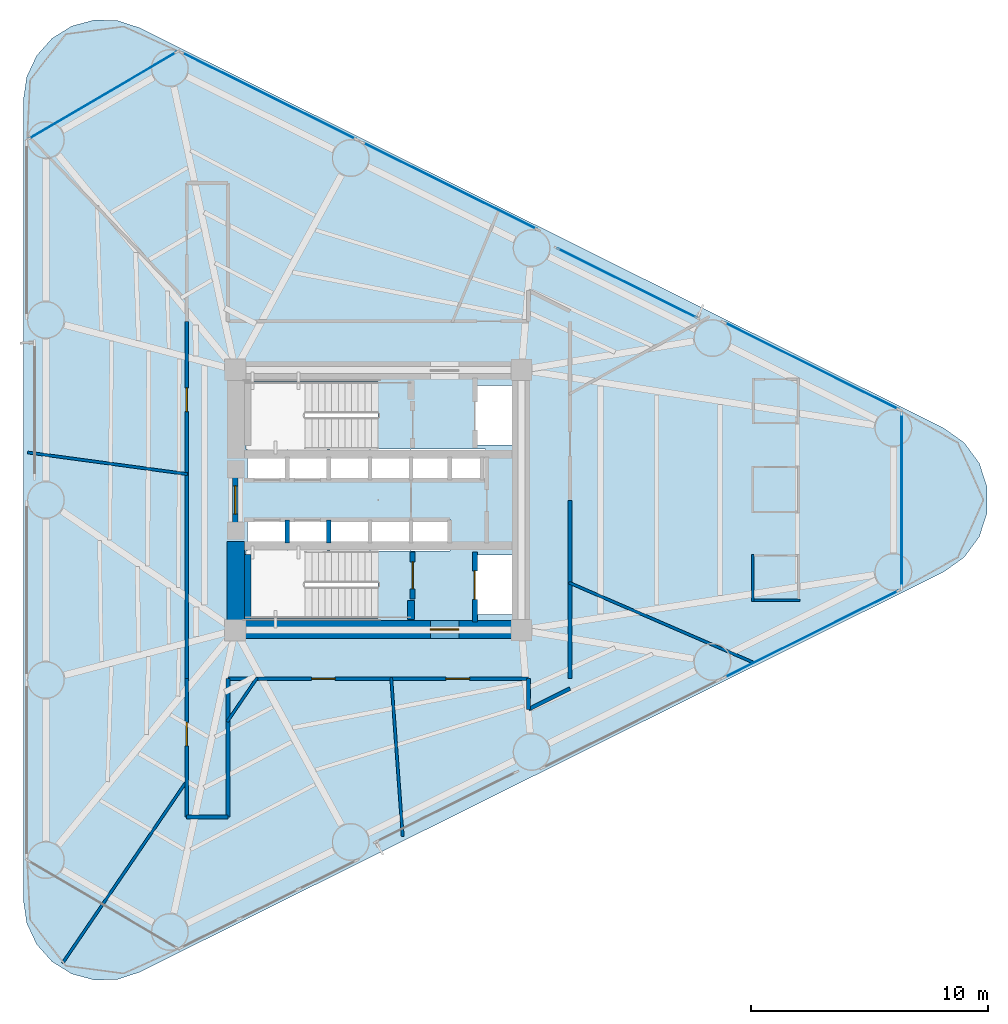
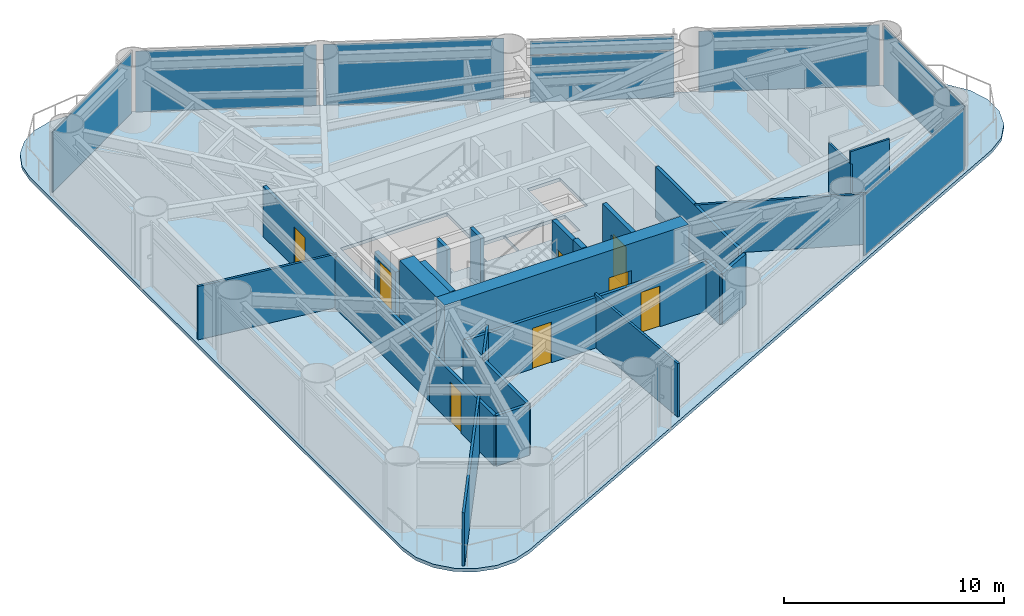
# One storey, part 5 of 10: 24 walls, 8 doors, 8 plates, 1 slab, 8 openings, 7 elements without a shape of their own.
"""IFC4 building model written with IfcOpenShell, lengths in metres."""

import ifcopenshell
import ifcopenshell.guid

model = None  # the IFC model being written
_history = None  # IfcOwnerHistory: only IFC2X3 demands one
_inside = {}  # id of a spatial element -> (the spatial element, [elements in it])
_under = {}  # id of a project, library or spatial element -> (it, [spatial elements below it])
_declared = {}  # id of a project -> (the project, [libraries it declares])
_typed = {}  # id of a type object -> (the type object, [elements of that type])
_made_of = {}  # id of a material, layer set ... -> (it, [elements and type objects made of it])


def new_model(schema):
    """Start an empty IFC model of exactly this schema.

    Asked for "IFC4X3", IfcOpenShell would pick the latest addendum, in which some entities
    have other attributes; the version numbers below select the first issue.
    IFC2X3 requires an IfcOwnerHistory on every rooted entity: one is made here for all.
    """
    global model, _history
    if schema == "IFC4X3":
        model = ifcopenshell.file(schema_version=(4, 3, 0, 0))
    else:
        model = ifcopenshell.file(schema=schema)
    _inside.clear()
    _under.clear()
    _declared.clear()
    _typed.clear()
    _made_of.clear()
    _history = None
    if model.schema == "IFC2X3":
        org = make("IfcOrganization", Name="unknown")
        user = make(
            "IfcPersonAndOrganization",
            ThePerson=make("IfcPerson", FamilyName="unknown"),
            TheOrganization=org,
        )
        app = make(
            "IfcApplication",
            ApplicationDeveloper=org,
            Version="unknown",
            ApplicationFullName="unknown",
            ApplicationIdentifier="unknown",
        )
        _history = make(
            "IfcOwnerHistory",
            OwningUser=user,
            OwningApplication=app,
            ChangeAction="ADDED",
            CreationDate=0,
        )
    return model


def make(cls, **values):
    """One entity of the class cls with the attributes given. An attribute that is None is left unset."""
    return model.create_entity(
        cls, **{name: value for name, value in values.items() if value is not None}
    )


def rooted(cls, **values):
    """An entity with a GlobalId (a new one), such as an element, a storey or a relation."""
    return make(cls, GlobalId=ifcopenshell.guid.new(), OwnerHistory=_history, **values)


def si_unit(unit_type, name, prefix=None):
    """IfcSIUnit, for example si_unit("LENGTHUNIT", "METRE", prefix="MILLI")."""
    return make("IfcSIUnit", UnitType=unit_type, Prefix=prefix, Name=name)


def assignment(units):
    """IfcUnitAssignment: the units of a project."""
    return None if units is None else make("IfcUnitAssignment", Units=units)


def point(xyz):
    """IfcCartesianPoint."""
    return None if xyz is None else make("IfcCartesianPoint", Coordinates=xyz)


def direction(xyz):
    """IfcDirection."""
    return None if xyz is None else make("IfcDirection", DirectionRatios=xyz)


def frame(location, z_axis=None, x_axis=None):
    """IfcAxis2Placement3D, a coordinate frame: its origin and axes. An axis left out is left unset."""
    return make(
        "IfcAxis2Placement3D",
        Location=point(location),
        Axis=direction(z_axis),
        RefDirection=direction(x_axis),
    )


def frame_2d(location, x_axis=None):
    """IfcAxis2Placement2D, a coordinate frame in the plane: its origin and x axis."""
    return make(
        "IfcAxis2Placement2D", Location=point(location), RefDirection=direction(x_axis)
    )


def origin():
    """The frame at (0, 0, 0) with its axes left unset."""
    return frame((0.0, 0.0, 0.0))


def origin_2d():
    """The frame at (0, 0) in the plane with its x axis left unset."""
    return frame_2d((0.0, 0.0))


def place(relative_to, where):
    """IfcLocalPlacement: puts the frame where relative to a parent placement (None: the world)."""
    return make(
        "IfcLocalPlacement", PlacementRelTo=relative_to, RelativePlacement=where
    )


def context(
    kind, dimensions, precision=None, world=None, true_north=None, identifier=None
):
    """IfcGeometricRepresentationContext, for example the 3D "Model" context."""
    return make(
        "IfcGeometricRepresentationContext",
        ContextIdentifier=identifier,
        ContextType=kind,
        CoordinateSpaceDimension=dimensions,
        Precision=precision,
        WorldCoordinateSystem=world,
        TrueNorth=true_north,
    )


def subcontext(parent, identifier, kind, view, scale=None):
    """IfcGeometricRepresentationSubContext, for example "Body" below "Model"."""
    return make(
        "IfcGeometricRepresentationSubContext",
        ContextIdentifier=identifier,
        ContextType=kind,
        ParentContext=parent,
        TargetScale=scale,
        TargetView=view,
    )


def project(units=None, contexts=None):
    """IfcProject with its units and contexts."""
    return rooted(
        "IfcProject",
        Name="project",
        RepresentationContexts=contexts,
        UnitsInContext=assignment(units),
    )


def spatial(cls, under=None, at=None, **own):
    """A site, building, storey or space (cls), placed at a placement, below another one or the project."""
    s = rooted(cls, ObjectPlacement=at, **own)
    if under is not None:
        _under.setdefault(under.id(), (under, []))[1].append(s)
    return s


def polyline(points):
    """IfcPolyline through the points."""
    return make("IfcPolyline", Points=[point(p) for p in points])


def profile(cls, at=None, kind="AREA", **sizes):
    """A parametric profile (cls). Its sizes go by their IFC names, for example OverallWidth=200.0."""
    return make(cls, ProfileType=kind, Position=at, **sizes)


def rectangle(**sizes):
    """IfcRectangleProfileDef."""
    return profile("IfcRectangleProfileDef", **sizes)


def outline(outer, holes=None, kind="AREA"):
    """IfcArbitraryClosedProfileDef: a profile drawn as a closed curve; with holes, ...WithVoids."""
    if holes is None:
        return make("IfcArbitraryClosedProfileDef", ProfileType=kind, OuterCurve=outer)
    return make(
        "IfcArbitraryProfileDefWithVoids",
        ProfileType=kind,
        OuterCurve=outer,
        InnerCurves=holes,
    )


def extrude(swept, where, along, depth):
    """IfcExtrudedAreaSolid: the profile swept, set in the frame where, extruded along a direction by depth."""
    return make(
        "IfcExtrudedAreaSolid",
        SweptArea=swept,
        Position=where,
        ExtrudedDirection=direction(along),
        Depth=depth,
    )


def shape(context_of_items, identifier, shape_type, items):
    """IfcShapeRepresentation: the items that make up one representation, for example the "Body"."""
    return make(
        "IfcShapeRepresentation",
        ContextOfItems=context_of_items,
        RepresentationIdentifier=identifier,
        RepresentationType=shape_type,
        Items=items,
    )


def source(mapping_origin, context_of_items, identifier, shape_type, items):
    """IfcRepresentationMap: a shape defined once, which mapped items show again and again."""
    return make(
        "IfcRepresentationMap",
        MappingOrigin=mapping_origin,
        MappedRepresentation=shape(context_of_items, identifier, shape_type, items),
    )


def transform(
    local_origin,
    x_axis=None,
    y_axis=None,
    z_axis=None,
    scale=None,
    scale2=None,
    scale3=None,
    uniform=True,
):
    """IfcCartesianTransformationOperator3D, or its non-uniform kind. x_axis, y_axis, z_axis: its Axis1, 2, 3."""
    if uniform:
        return make(
            "IfcCartesianTransformationOperator3D",
            Axis1=direction(x_axis),
            Axis2=direction(y_axis),
            LocalOrigin=point(local_origin),
            Scale=scale,
            Axis3=direction(z_axis),
        )
    return make(
        "IfcCartesianTransformationOperator3DnonUniform",
        Axis1=direction(x_axis),
        Axis2=direction(y_axis),
        LocalOrigin=point(local_origin),
        Scale=scale,
        Axis3=direction(z_axis),
        Scale2=scale2,
        Scale3=scale3,
    )


def mapped(mapping_source, mapping_target):
    """IfcMappedItem: shows the shape of a source again, moved by a transform."""
    return make(
        "IfcMappedItem", MappingSource=mapping_source, MappingTarget=mapping_target
    )


def material(Name=None, Category=None):
    """IfcMaterial."""
    return make("IfcMaterial", Name=Name, Category=Category)


def layer(
    of_material, thickness, ventilated=None, Name=None, Category=None, Priority=None
):
    """IfcMaterialLayer: one layer of a wall or slab, of a material (None: an air gap)."""
    return make(
        "IfcMaterialLayer",
        Material=of_material,
        LayerThickness=thickness,
        IsVentilated=ventilated,
        Name=Name,
        Category=Category,
        Priority=Priority,
    )


def layer_set(layers, Name=None):
    """IfcMaterialLayerSet."""
    return make("IfcMaterialLayerSet", MaterialLayers=layers, LayerSetName=Name)


def made_of(thing, what):
    """Note that an element or type object is made of a material, layer set ...; save() writes the relation."""
    if what is not None:
        _made_of.setdefault(what.id(), (what, []))[1].append(thing)
    return thing


def type_object(cls, material=None, **own):
    """A type object (cls), such as IfcWallType, which elements share."""
    return made_of(rooted(cls, **own), material)


def element(
    cls,
    number,
    at=None,
    inside=None,
    cuts=None,
    type_object=None,
    material=None,
    context=None,
    identifier="Body",
    shape_type=None,
    held_by="IfcProductDefinitionShape",
    body=None,
    shapes=None,
    **own,
):
    """One element of the class cls, such as IfcWall. Its Tag is "e" and its number.

    at: its placement. inside: the storey or other place that contains it. cuts: it is an
    opening in that element (IfcRelVoidsElement). A single representation is given by context,
    identifier, shape_type and body (its items); several are given by shapes. held_by: the class
    of the entity that holds the representations. save() writes the other relations.
    """
    e = rooted(cls, Tag="e%d" % number, ObjectPlacement=at, **own)
    if body is not None:
        shapes = [shape(context, identifier, shape_type, body)]
    if shapes is not None:
        e.Representation = make(held_by, Representations=shapes)
    if inside is not None:
        _inside.setdefault(inside.id(), (inside, []))[1].append(e)
    if cuts is not None:
        rooted(
            "IfcRelVoidsElement", RelatingBuildingElement=cuts, RelatedOpeningElement=e
        )
    if type_object is not None:
        _typed.setdefault(type_object.id(), (type_object, []))[1].append(e)
    return made_of(e, material)


def fill(opening, filler):
    """IfcRelFillsElement: the door or window that sits in an opening."""
    return rooted(
        "IfcRelFillsElement",
        RelatingOpeningElement=opening,
        RelatedBuildingElement=filler,
    )


def aggregate(whole, parts):
    """IfcRelAggregates: a whole, such as a stair, and the parts it consists of."""
    return rooted("IfcRelAggregates", RelatingObject=whole, RelatedObjects=parts)


def save(model, path):
    """Write the relations noted so far, then the file.

    IfcRelAggregates (storeys below a building ...), IfcRelContainedInSpatialStructure (elements
    in a storey), IfcRelDefinesByType, IfcRelAssociatesMaterial and IfcRelDeclares: one each for
    every whole, place, type object, material and project.
    """
    for whole, parts in _under.values():
        aggregate(whole, parts)
    for where, things in _inside.values():
        rooted(
            "IfcRelContainedInSpatialStructure",
            RelatedElements=things,
            RelatingStructure=where,
        )
    for kind, things in _typed.values():
        rooted("IfcRelDefinesByType", RelatedObjects=things, RelatingType=kind)
    for what, things in _made_of.values():
        rooted("IfcRelAssociatesMaterial", RelatedObjects=things, RelatingMaterial=what)
    for by, libraries in _declared.values():
        rooted("IfcRelDeclares", RelatingContext=by, RelatedDefinitions=libraries)
    model.write(path)


model = new_model("IFC4")

# Units and contexts
model_context = context("Model", 3, precision=1e-05, world=origin(), true_north=direction((0.0, 1.0)))
body_context = subcontext(model_context, "Body", "Model", "MODEL_VIEW")
ifc_project = project(units=[si_unit("LENGTHUNIT", "METRE"), si_unit("AREAUNIT", "SQUARE_METRE"), si_unit("VOLUMEUNIT", "CUBIC_METRE"), si_unit("PLANEANGLEUNIT", "RADIAN"), si_unit("MASSUNIT", "GRAM", prefix="KILO")], contexts=[model_context])

# Site, building, storey
site_placement = place(None, origin())
site = spatial("IfcSite", under=ifc_project, at=site_placement, CompositionType="ELEMENT")
building_placement = place(site_placement, origin())
building = spatial("IfcBuilding", under=site, at=building_placement, Name="Yunling Apex Tower", CompositionType="ELEMENT")
storey_placement = place(building_placement, frame((0.0, 0.0, 38.60009765625)))
storey = spatial("IfcBuildingStorey", under=building, at=storey_placement, Name="L11", CompositionType="ELEMENT", Elevation=38.60009765625)

# Slab
ifc_material_1 = material(Name="Concrete C40", Category="concrete")
ifc_layer_1 = layer(ifc_material_1, 0.179931640625)
ifc_layer_set_1 = layer_set([ifc_layer_1], Name="Concrete C40")
slab_type = type_object("IfcSlabType", Name="SL-FLR-1", PredefinedType="FLOOR", material=ifc_layer_set_1)
slab_placement = place(storey_placement, frame((0.0, 0.0, -0.18505859375)))
element("IfcSlab", 1, at=slab_placement, inside=storey, type_object=slab_type, Name="L11 Composite Tower Floor Slab", PredefinedType="FLOOR", context=body_context, shape_type="SweptSolid", body=[
    extrude(outline(polyline([(-15.001953125, -16.909912109375), (-14.859619140625, -17.88330078125), (-14.444580078125, -18.775390625), (-13.79150390625, -19.510986328125), (-12.955078125, -20.029052734375), (-12.00537109375, -20.285888671875), (-11.02197265625, -20.260009765625), (-10.0869140625, -19.953857421875), (23.88818359375, -3.043701171875), (24.76123046875, -2.42041015625), (25.396484375, -1.555908203125), (25.730712890625, -0.536376953125), (25.730712890625, 0.536376953125), (25.396484375, 1.555908203125), (24.76123046875, 2.42041015625), (23.88818359375, 3.043701171875), (-10.0869140625, 19.953857421875), (-11.02197265625, 20.260009765625), (-12.00537109375, 20.285888671875), (-12.955078125, 20.029052734375), (-13.79150390625, 19.510986328125), (-14.444580078125, 18.775390625), (-14.859619140625, 17.88330078125), (-15.001953125, 16.909912109375), (-15.001953125, -16.909912109375)]), holes=[polyline([(5.81005859375, -2.320068359375), (5.81005859375, -4.840087890625), (4.090087890625, -4.840087890625), (4.090087890625, -2.320068359375), (5.81005859375, -2.320068359375)]), polyline([(5.81005859375, 4.840087890625), (5.81005859375, 2.320068359375), (4.090087890625, 2.320068359375), (4.090087890625, 4.840087890625), (5.81005859375, 4.840087890625)]), polyline([(1.364990234375, 2.1650390625), (4.534912109375, 2.1650390625), (4.534912109375, 0.794921875), (1.364990234375, 0.794921875), (1.364990234375, 2.1650390625)]), polyline([(3.034912109375, -0.794921875), (3.034912109375, -2.1650390625), (1.364990234375, -2.1650390625), (1.364990234375, -0.794921875), (3.034912109375, -0.794921875)]), polyline([(-5.534912109375, -0.794921875), (-3.864990234375, -0.794921875), (-3.864990234375, -2.139892578125), (-3.8349609375, -2.139892578125), (-3.8349609375, -0.794921875), (-2.1650390625, -0.794921875), (-2.1650390625, -2.139892578125), (-2.034912109375, -2.139892578125), (-2.034912109375, -0.794921875), (-0.364990234375, -0.794921875), (-0.364990234375, -2.139892578125), (-0.3349609375, -2.139892578125), (-0.3349609375, -0.794921875), (1.3349609375, -0.794921875), (1.3349609375, -2.1650390625), (-0.010009765625, -2.1650390625), (-0.010009765625, -5.010009765625), (-5.60009765625, -5.010009765625), (-5.60009765625, -2.139892578125), (-5.534912109375, -2.139892578125), (-5.534912109375, -0.794921875)]), polyline([(-5.60009765625, 2.139892578125), (-5.60009765625, 5.010009765625), (-0.010009765625, 5.010009765625), (-0.010009765625, 2.1650390625), (1.3349609375, 2.1650390625), (1.3349609375, 0.794921875), (-0.3349609375, 0.794921875), (-0.3349609375, 2.139892578125), (-0.364990234375, 2.139892578125), (-0.364990234375, 0.794921875), (-2.034912109375, 0.794921875), (-2.034912109375, 2.139892578125), (-2.1650390625, 2.139892578125), (-2.1650390625, 0.794921875), (-3.8349609375, 0.794921875), (-3.8349609375, 2.139892578125), (-3.864990234375, 2.139892578125), (-3.864990234375, 0.794921875), (-5.534912109375, 0.794921875), (-5.534912109375, 2.139892578125), (-5.60009765625, 2.139892578125)])]), origin(), (0.0, 0.0, 1.0), 0.18505859375),
])

# Curtain wall, plate
ifc_material_2 = material(Name="Bronze anodised aluminium", Category="aluminium")
ifc_layer_2 = layer(ifc_material_2, 0.260009765625)
ifc_layer_set_2 = layer_set([ifc_layer_2], Name="Bronze anodised aluminium")
curtain_wall_type = type_object("IfcCurtainWallType", Name="CW-SYS-2", PredefinedType="NOTDEFINED", material=ifc_layer_set_2)
curtain_wall_1_placement = place(storey_placement, origin())
curtain_wall_1 = element("IfcCurtainWall", 2, at=curtain_wall_1_placement, inside=storey, type_object=curtain_wall_type, Name="CW-L11-F1-B4", PredefinedType="NOTDEFINED")
ifc_material_3 = material(Name="Bronze tinted low-E glass", Category="glass")
ifc_layer_3 = layer(ifc_material_3, 0.033935546875)
ifc_layer_set_3 = layer_set([ifc_layer_3], Name="Bronze tinted low-E glass")
plate_type = type_object("IfcPlateType", Name="CW-PNL-2", PredefinedType="CURTAIN_PANEL", material=ifc_layer_set_3)
shared_shape_1 = source(origin(), body_context, "Body", "SweptSolid", [
    extrude(rectangle(XDim=8.225341796875, YDim=0.033935546875, at=origin_2d()), origin(), (0.0, 0.0, 1.0), 3.361572265625),
])
plate_1_placement = place(storey_placement, frame((18.304931640625, -5.666259765625, 0.07666015625), z_axis=(0.0, 0.0, 1.0), x_axis=(0.895242031011, 0.445580190214, 0.0)))
plate_1 = element("IfcPlate", 3, at=plate_1_placement, type_object=plate_type, Name="CW-SYS-2 panel 1.1", PredefinedType="CURTAIN_PANEL", context=body_context, shape_type="MappedRepresentation", body=[
    mapped(shared_shape_1, transform((0.0, 0.0, 0.0), scale=1.0)),
])
aggregate(curtain_wall_1, [plate_1])

curtain_wall_2_placement = place(storey_placement, origin())
curtain_wall_2 = element("IfcCurtainWall", 4, at=curtain_wall_2_placement, inside=storey, type_object=curtain_wall_type, Name="CW-L11-F2-B1", PredefinedType="NOTDEFINED")
plate_2_placement = place(storey_placement, frame((18.304931640625, 5.666259765625, 0.07666015625), z_axis=(0.0, 0.0, 1.0), x_axis=(-0.895242031011, 0.445580190214, 0.0)))
plate_2 = element("IfcPlate", 5, at=plate_2_placement, type_object=plate_type, Name="CW-SYS-2 panel 1.1", PredefinedType="CURTAIN_PANEL", context=body_context, shape_type="MappedRepresentation", body=[
    mapped(shared_shape_1, transform((0.0, 0.0, 0.0), scale=1.0)),
])
aggregate(curtain_wall_2, [plate_2])

curtain_wall_3_placement = place(storey_placement, origin())
curtain_wall_3 = element("IfcCurtainWall", 6, at=curtain_wall_3_placement, inside=storey, type_object=curtain_wall_type, Name="CW-L11-F2-B3", PredefinedType="NOTDEFINED")
plate_3_placement = place(storey_placement, frame((3.01611328125, 13.27587890625, 0.07666015625), z_axis=(0.0, 0.0, 1.0), x_axis=(-0.895242031011, 0.445580190214, 0.0)))
plate_3 = element("IfcPlate", 7, at=plate_3_placement, type_object=plate_type, Name="CW-SYS-2 panel 1.1", PredefinedType="CURTAIN_PANEL", context=body_context, shape_type="MappedRepresentation", body=[
    mapped(shared_shape_1, transform((0.0, 0.0, 0.0), scale=1.0)),
])
aggregate(curtain_wall_3, [plate_3])

curtain_wall_4_placement = place(storey_placement, origin())
curtain_wall_4 = element("IfcCurtainWall", 8, at=curtain_wall_4_placement, inside=storey, type_object=curtain_wall_type, Name="CW-L11-F2-B4", PredefinedType="NOTDEFINED")
plate_4_placement = place(storey_placement, frame((-4.62841796875, 17.08056640625, 0.07666015625), z_axis=(0.0, 0.0, 1.0), x_axis=(-0.895246791748, 0.445570625003, 0.0)))
plate_4 = element("IfcPlate", 9, at=plate_4_placement, type_object=plate_type, Name="CW-SYS-2 panel 1.1", PredefinedType="CURTAIN_PANEL", context=body_context, shape_type="MappedRepresentation", body=[
    mapped(shared_shape_1, transform((0.0, 0.0, 0.0), scale=1.0)),
])
aggregate(curtain_wall_4, [plate_4])

curtain_wall_5_placement = place(storey_placement, origin())
curtain_wall_5 = element("IfcCurtainWall", 10, at=curtain_wall_5_placement, inside=storey, type_object=curtain_wall_type, Name="CW-L11-CRN1", PredefinedType="NOTDEFINED")
shared_shape_2 = source(origin(), body_context, "Body", "SweptSolid", [
    extrude(rectangle(XDim=7.338623046875, YDim=0.033935546875, at=origin_2d()), origin(), (0.0, 0.0, 1.0), 3.361572265625),
])
plate_5_placement = place(storey_placement, frame((22.1181640625, 0.0, 0.07666015625), z_axis=(0.0, 0.0, 1.0), x_axis=(0.0, 1.0, 0.0)))
plate_5 = element("IfcPlate", 11, at=plate_5_placement, type_object=plate_type, Name="CW-SYS-2 panel 1.1", PredefinedType="CURTAIN_PANEL", context=body_context, shape_type="MappedRepresentation", body=[
    mapped(shared_shape_2, transform((0.0, 0.0, 0.0), scale=1.0)),
])
aggregate(curtain_wall_5, [plate_5])

curtain_wall_6_placement = place(storey_placement, origin())
curtain_wall_6 = element("IfcCurtainWall", 12, at=curtain_wall_6_placement, inside=storey, type_object=curtain_wall_type, Name="CW-L11-CRN2", PredefinedType="NOTDEFINED")
shared_shape_3 = source(origin(), body_context, "Body", "SweptSolid", [
    extrude(rectangle(XDim=7.247314453125, YDim=0.033935546875, at=origin_2d()), origin(), (0.0, 0.0, 1.0), 3.361572265625),
])
plate_6_placement = place(storey_placement, frame((-11.650634765625, 17.092041015625, 0.07666015625), z_axis=(0.0, 0.0, 1.0), x_axis=(-0.86241873323, -0.506195543811, 0.0)))
plate_6 = element("IfcPlate", 13, at=plate_6_placement, type_object=plate_type, Name="CW-SYS-2 panel 1.1", PredefinedType="CURTAIN_PANEL", context=body_context, shape_type="MappedRepresentation", body=[
    mapped(shared_shape_3, transform((0.0, 0.0, 0.0), scale=1.0)),
])
aggregate(curtain_wall_6, [plate_6])

# Curtain wall, plates
curtain_wall_7_placement = place(storey_placement, origin())
curtain_wall_7 = element("IfcCurtainWall", 14, at=curtain_wall_7_placement, inside=storey, type_object=curtain_wall_type, Name="CW-L11-F2-B2", PredefinedType="NOTDEFINED")
shared_shape_4 = source(origin(), body_context, "Body", "SweptSolid", [
    extrude(rectangle(XDim=6.54541015625, YDim=0.033935546875, at=origin_2d()), origin(), (0.0, 0.0, 1.0), 2.560302734375),
])
plate_7_placement = place(storey_placement, frame((10.509033203125, 9.166748046875, 0.07666015625), z_axis=(0.0, 0.0, 1.0), x_axis=(-0.895243732344, 0.445576771947, 0.0)))
plate_7 = element("IfcPlate", 15, at=plate_7_placement, type_object=plate_type, Name="CW-SYS-2 panel 1.1", PredefinedType="CURTAIN_PANEL", context=body_context, shape_type="MappedRepresentation", body=[
    mapped(shared_shape_4, transform((0.0, 0.0, 0.0), scale=1.0)),
])
shared_shape_5 = source(origin(), body_context, "Body", "SweptSolid", [
    extrude(rectangle(XDim=6.54541015625, YDim=0.033935546875, at=origin_2d()), origin(), (0.0, 0.0, 1.0), 0.732666015625),
])
plate_8_placement = place(storey_placement, frame((10.509033203125, 9.166748046875, 2.70556640625), z_axis=(0.0, 0.0, 1.0), x_axis=(-0.895243732344, 0.445576771947, 0.0)))
plate_8 = element("IfcPlate", 16, at=plate_8_placement, type_object=plate_type, Name="CW-SYS-2 panel 1.2", PredefinedType="CURTAIN_PANEL", context=body_context, shape_type="MappedRepresentation", body=[
    mapped(shared_shape_5, transform((0.0, 0.0, 0.0), scale=1.0)),
])
aggregate(curtain_wall_7, [plate_7, plate_8])

# Wall, opening, door
ifc_material_4 = material(Name="Concrete C60", Category="concrete")
ifc_layer_4 = layer(ifc_material_4, 0.75)
ifc_layer_set_4 = layer_set([ifc_layer_4], Name="Concrete C60")
wall_type_1 = type_object("IfcWallType", Name="WL-COR-1", PredefinedType="SHEAR", material=ifc_layer_set_4)
wall_1_placement = place(storey_placement, frame((-6.39990234375, -5.47509765625, 0.0), z_axis=(0.0, 0.0, 1.0), x_axis=(1.0, 0.0, 0.0)))
wall_1 = element("IfcWall", 17, at=wall_1_placement, inside=storey, type_object=wall_type_1, Name="L11 South Core Shear Wall", PredefinedType="SHEAR", context=body_context, shape_type="SweptSolid", body=[
    extrude(rectangle(XDim=12.7998046875, YDim=0.75, at=frame_2d((6.39990234375, 0.0))), origin(), (0.0, 0.0, 1.0), 3.699951171875),
])
opening_1_placement = place(wall_1_placement, frame((8.60009765625, 0.0, 0.0)))
opening_1 = element("IfcOpeningElement", 18, at=opening_1_placement, cuts=wall_1, Name="Opening DR-FFL-1", PredefinedType="OPENING", context=body_context, shape_type="SweptSolid", body=[
    extrude(rectangle(XDim=1.199951171875, YDim=2.199951171875, at=frame_2d((0.60009765625, 1.10009765625))), frame((0.0, 0.385009765625, 0.0), z_axis=(0.0, -1.0, 0.0), x_axis=(1.0, 0.0, 0.0)), (0.0, 0.0, 1.0), 0.77001953125),
])
ifc_material_5 = material(Name="Steel Q355B", Category="steel")
door_type_1 = type_object("IfcDoorType", Name="DR-FFL-1", OperationType="NOTDEFINED", PredefinedType="DOOR", material=ifc_material_5)
door_1_placement = place(opening_1_placement, origin())
door_1 = element("IfcDoor", 19, at=door_1_placement, inside=storey, type_object=door_type_1, Name="L11 South Firefighting Lobby Door", OperationType="SINGLE_SWING_RIGHT", OverallHeight=2.199951171875, OverallWidth=1.199951171875, PredefinedType="DOOR", context=body_context, shape_type="SweptSolid", body=[
    extrude(rectangle(XDim=1.199951171875, YDim=2.199951171875, at=frame_2d((0.60009765625, 1.10009765625))), frame((0.0, 0.02490234375, 0.0), z_axis=(0.0, -1.0, 0.0), x_axis=(1.0, 0.0, 0.0)), (0.0, 0.0, 1.0), 0.050048828125),
])
fill(opening_1, door_1)

# Walls
wall_2_placement = place(storey_placement, frame((-6.02490234375, -5.10009765625, 0.0), z_axis=(0.0, 0.0, 1.0), x_axis=(0.0, 1.0, 0.0)))
element("IfcWall", 20, at=wall_2_placement, inside=storey, type_object=wall_type_1, Name="L11 West-South Core Shear Wall", PredefinedType="SHEAR", context=body_context, shape_type="SweptSolid", body=[
    extrude(rectangle(XDim=3.35009765625, YDim=0.75, at=frame_2d((1.675048828125, 0.0))), origin(), (0.0, 0.0, 1.0), 3.699951171875),
])
ifc_layer_5 = layer(ifc_material_1, 0.280029296875)
ifc_layer_set_5 = layer_set([ifc_layer_5], Name="Concrete C40")
wall_type_2 = type_object("IfcWallType", Name="WL-COR-8", PredefinedType="SHEAR", material=ifc_layer_set_5)
wall_3_placement = place(storey_placement, frame((-5.52001953125, -5.050048828125, 0.0), z_axis=(0.0, 0.0, 1.0), x_axis=(0.0, 1.0, 0.0)))
element("IfcWall", 21, at=wall_3_placement, inside=storey, type_object=wall_type_2, Name="L11 ST-2 West Landing Bearing Wall", PredefinedType="SHEAR", context=body_context, shape_type="SweptSolid", body=[
    extrude(rectangle(XDim=2.75, YDim=0.280029296875, at=frame_2d((1.375, 0.0))), origin(), (0.0, 0.0, 1.0), 3.699951171875),
])
wall_4_placement = place(storey_placement, frame((1.3798828125, -5.050048828125, 0.0), z_axis=(0.0, 0.0, 1.0), x_axis=(0.0, 1.0, 0.0)))
element("IfcWall", 22, at=wall_4_placement, inside=storey, type_object=wall_type_2, Name="L11 ST-2 East Landing Bearing Pier", PredefinedType="SHEAR", context=body_context, shape_type="SweptSolid", body=[
    extrude(rectangle(XDim=0.800048828125, YDim=0.280029296875, at=frame_2d((0.39990234375, 0.0))), origin(), (0.0, 0.0, 1.0), 3.699951171875),
])

# Wall, openings, doors
ifc_material_6 = material(Name="Gypsum board acoustic partition")
ifc_layer_6 = layer(ifc_material_6, 0.159912109375)
ifc_layer_set_6 = layer_set([ifc_layer_6], Name="Gypsum board acoustic partition")
wall_type_3 = type_object("IfcWallType", Name="WL-PRT-1", PredefinedType="PARTITIONING", material=ifc_layer_set_6)
wall_5_placement = place(storey_placement, frame((6.35009765625, -7.550048828125, 0.0), z_axis=(0.0, 0.0, 1.0), x_axis=(-1.0, 0.0, 0.0)))
wall_5 = element("IfcWall", 23, at=wall_5_placement, inside=storey, type_object=wall_type_3, Name="WL-CORR-L11-01", PredefinedType="PARTITIONING", context=body_context, shape_type="SweptSolid", body=[
    extrude(rectangle(XDim=12.7001953125, YDim=0.159912109375, at=frame_2d((6.35009765625, 0.0))), origin(), (0.0, 0.0, 1.0), 2.7998046875),
])
opening_2_placement = place(wall_5_placement, frame((2.49267578125, 0.0, 0.0)))
opening_2 = element("IfcOpeningElement", 24, at=opening_2_placement, cuts=wall_5, Name="Opening DR-OFF-1", PredefinedType="OPENING", context=body_context, shape_type="SweptSolid", body=[
    extrude(rectangle(XDim=1.0, YDim=2.25, at=frame_2d((0.5, 1.125))), frame((0.0, 0.08984375, 0.0), z_axis=(0.0, -1.0, 0.0), x_axis=(1.0, 0.0, 0.0)), (0.0, 0.0, 1.0), 0.179931640625),
])
opening_3_placement = place(wall_5_placement, frame((8.174560546875, 0.0, 0.0)))
opening_3 = element("IfcOpeningElement", 25, at=opening_3_placement, cuts=wall_5, Name="Opening DR-OFF-1", PredefinedType="OPENING", context=body_context, shape_type="SweptSolid", body=[
    extrude(rectangle(XDim=1.0, YDim=2.25, at=frame_2d((0.5, 1.125))), frame((0.0, 0.08984375, 0.0), z_axis=(0.0, -1.0, 0.0), x_axis=(1.0, 0.0, 0.0)), (0.0, 0.0, 1.0), 0.179931640625),
])
door_type_2 = type_object("IfcDoorType", Name="DR-OFF-1", OperationType="NOTDEFINED", PredefinedType="DOOR", material=ifc_material_2)
door_2_placement = place(opening_2_placement, origin())
door_2 = element("IfcDoor", 26, at=door_2_placement, inside=storey, type_object=door_type_2, Name="L11 Business Reading Lounge Door", OperationType="SINGLE_SWING_RIGHT", OverallHeight=2.25, OverallWidth=1.0, PredefinedType="DOOR", context=body_context, shape_type="SweptSolid", body=[
    extrude(rectangle(XDim=1.0, YDim=2.25, at=frame_2d((0.5, 1.125))), frame((0.0, 0.02490234375, 0.0), z_axis=(0.0, -1.0, 0.0), x_axis=(1.0, 0.0, 0.0)), (0.0, 0.0, 1.0), 0.050048828125),
])
fill(opening_2, door_2)
door_3_placement = place(opening_3_placement, origin())
door_3 = element("IfcDoor", 27, at=door_3_placement, inside=storey, type_object=door_type_2, Name="L11 Business Reading Lounge Door", OperationType="SINGLE_SWING_LEFT", OverallHeight=2.25, OverallWidth=1.0, PredefinedType="DOOR", context=body_context, shape_type="SweptSolid", body=[
    extrude(rectangle(XDim=1.0, YDim=2.25, at=frame_2d((0.5, 1.125))), frame((0.0, 0.02490234375, 0.0), z_axis=(0.0, -1.0, 0.0), x_axis=(1.0, 0.0, 0.0)), (0.0, 0.0, 1.0), 0.050048828125),
])
fill(opening_3, door_3)

# Walls
wall_6_placement = place(storey_placement, frame((-6.35009765625, -7.550048828125, 0.0), z_axis=(0.0, 0.0, 1.0), x_axis=(0.0, -1.0, 0.0)))
element("IfcWall", 28, at=wall_6_placement, inside=storey, type_object=wall_type_3, Name="WL-CORR-L11-02", PredefinedType="PARTITIONING", context=body_context, shape_type="SweptSolid", body=[
    extrude(rectangle(XDim=5.849853515625, YDim=0.159912109375, at=frame_2d((2.9248046875, 0.0))), origin(), (0.0, 0.0, 1.0), 2.7998046875),
])
wall_7_placement = place(storey_placement, frame((-6.35009765625, -13.39990234375, 0.0), z_axis=(0.0, 0.0, 1.0), x_axis=(-1.0, 0.0, 0.0)))
element("IfcWall", 29, at=wall_7_placement, inside=storey, type_object=wall_type_3, Name="WL-CORR-L11-03", PredefinedType="PARTITIONING", context=body_context, shape_type="SweptSolid", body=[
    extrude(rectangle(XDim=1.75, YDim=0.159912109375, at=frame_2d((0.875, 0.0))), origin(), (0.0, 0.0, 1.0), 2.7998046875),
])

# Wall, opening, door
wall_8_placement = place(storey_placement, frame((-8.10009765625, -13.39990234375, 0.0), z_axis=(0.0, 0.0, 1.0), x_axis=(0.0, 1.0, 0.0)))
wall_8 = element("IfcWall", 30, at=wall_8_placement, inside=storey, type_object=wall_type_3, Name="WL-CORR-L11-04", PredefinedType="PARTITIONING", context=body_context, shape_type="SweptSolid", body=[
    extrude(rectangle(XDim=5.849853515625, YDim=0.159912109375, at=frame_2d((2.9248046875, 0.0))), origin(), (0.0, 0.0, 1.0), 2.7998046875),
])
opening_4_placement = place(wall_8_placement, frame((3.007080078125, 0.0, 0.0)))
opening_4 = element("IfcOpeningElement", 31, at=opening_4_placement, cuts=wall_8, Name="Opening DR-OFF-1", PredefinedType="OPENING", context=body_context, shape_type="SweptSolid", body=[
    extrude(rectangle(XDim=1.0, YDim=2.25, at=frame_2d((0.5, 1.125))), frame((0.0, 0.08984375, 0.0), z_axis=(0.0, -1.0, 0.0), x_axis=(1.0, 0.0, 0.0)), (0.0, 0.0, 1.0), 0.179931640625),
])
door_4_placement = place(opening_4_placement, origin())
door_4 = element("IfcDoor", 32, at=door_4_placement, inside=storey, type_object=door_type_2, Name="L11 Executive Office Door", OperationType="SINGLE_SWING_RIGHT", OverallHeight=2.25, OverallWidth=1.0, PredefinedType="DOOR", context=body_context, shape_type="SweptSolid", body=[
    extrude(rectangle(XDim=1.0, YDim=2.25, at=frame_2d((0.5, 1.125))), frame((0.0, 0.02490234375, 0.0), z_axis=(0.0, -1.0, 0.0), x_axis=(1.0, 0.0, 0.0)), (0.0, 0.0, 1.0), 0.050048828125),
])
fill(opening_4, door_4)

wall_9_placement = place(storey_placement, frame((-8.10009765625, -7.550048828125, 0.0), z_axis=(0.0, 0.0, 1.0), x_axis=(0.0, 1.0, 0.0)))
wall_9 = element("IfcWall", 33, at=wall_9_placement, inside=storey, type_object=wall_type_3, Name="WL-CORR-L11-05", PredefinedType="PARTITIONING", context=body_context, shape_type="SweptSolid", body=[
    extrude(rectangle(XDim=15.10009765625, YDim=0.159912109375, at=frame_2d((7.550048828125, 0.0))), origin(), (0.0, 0.0, 1.0), 2.7998046875),
])
opening_5_placement = place(wall_9_placement, frame((11.285400390625, 0.0, 0.0)))
opening_5 = element("IfcOpeningElement", 34, at=opening_5_placement, cuts=wall_9, Name="Opening DR-OFF-1", PredefinedType="OPENING", context=body_context, shape_type="SweptSolid", body=[
    extrude(rectangle(XDim=1.0, YDim=2.25, at=frame_2d((0.5, 1.125))), frame((0.0, 0.08984375, 0.0), z_axis=(0.0, -1.0, 0.0), x_axis=(1.0, 0.0, 0.0)), (0.0, 0.0, 1.0), 0.179931640625),
])
door_5_placement = place(opening_5_placement, origin())
door_5 = element("IfcDoor", 35, at=door_5_placement, inside=storey, type_object=door_type_2, Name="L11 Executive Office Door", OperationType="SINGLE_SWING_LEFT", OverallHeight=2.25, OverallWidth=1.0, PredefinedType="DOOR", context=body_context, shape_type="SweptSolid", body=[
    extrude(rectangle(XDim=1.0, YDim=2.25, at=frame_2d((0.5, 1.125))), frame((0.0, 0.02490234375, 0.0), z_axis=(0.0, -1.0, 0.0), x_axis=(1.0, 0.0, 0.0)), (0.0, 0.0, 1.0), 0.050048828125),
])
fill(opening_5, door_5)

# Walls
wall_10_placement = place(storey_placement, frame((8.10009765625, -0.02001953125, 0.0), z_axis=(0.0, 0.0, 1.0), x_axis=(0.0, -1.0, 0.0)))
element("IfcWall", 36, at=wall_10_placement, inside=storey, type_object=wall_type_3, Name="WL-CORR-L11-14", PredefinedType="PARTITIONING", context=body_context, shape_type="SweptSolid", body=[
    extrude(rectangle(XDim=7.530029296875, YDim=0.159912109375, at=frame_2d((3.76513671875, 0.0))), origin(), (0.0, 0.0, 1.0), 2.7998046875),
])
wall_11_placement = place(storey_placement, frame((8.10009765625, -7.975341796875, 0.0), z_axis=(0.0, 0.0, 1.0), x_axis=(-0.89527489017, -0.445514164793, 0.0)))
element("IfcWall", 37, at=wall_11_placement, inside=storey, type_object=wall_type_3, Name="WL-CORR-L11-16", PredefinedType="PARTITIONING", context=body_context, shape_type="SweptSolid", body=[
    extrude(rectangle(XDim=1.95458984375, YDim=0.159912109375, at=frame_2d((0.977294921875, 0.0))), origin(), (0.0, 0.0, 1.0), 2.7998046875),
])
wall_12_placement = place(storey_placement, frame((6.35009765625, -8.84619140625, 0.0), z_axis=(0.0, 0.0, 1.0), x_axis=(0.0, 1.0, 0.0)))
element("IfcWall", 38, at=wall_12_placement, inside=storey, type_object=wall_type_3, Name="WL-CORR-L11-17", PredefinedType="PARTITIONING", context=body_context, shape_type="SweptSolid", body=[
    extrude(rectangle(XDim=1.296142578125, YDim=0.159912109375, at=frame_2d((0.64794921875, 0.0))), origin(), (0.0, 0.0, 1.0), 2.7998046875),
])
ifc_layer_7 = layer(ifc_material_6, 0.1201171875)
ifc_layer_set_7 = layer_set([ifc_layer_7], Name="Gypsum board acoustic partition")
wall_type_4 = type_object("IfcWallType", Name="WL-PRT-3", PredefinedType="PARTITIONING", material=ifc_layer_set_7)
wall_13_placement = place(storey_placement, frame((-8.06005859375, 1.091796875, 0.0), z_axis=(0.0, 0.0, 1.0), x_axis=(-0.990948874496, 0.13423981576, 0.0)))
element("IfcWall", 39, at=wall_13_placement, inside=storey, type_object=wall_type_4, Name="WL-RAD-L11-04", PredefinedType="PARTITIONING", context=body_context, shape_type="SweptSolid", body=[
    extrude(rectangle(XDim=6.82373046875, YDim=0.1201171875, at=frame_2d((3.411865234375, 0.0))), origin(), (0.0, 0.0, 1.0), 2.9599609375),
])
wall_14_placement = place(storey_placement, frame((-5.1201171875, -7.510009765625, 0.0), z_axis=(0.0, 0.0, 1.0), x_axis=(-0.563343546536, -0.826222759657, 0.0)))
element("IfcWall", 40, at=wall_14_placement, inside=storey, type_object=wall_type_4, Name="WL-RAD-L11-05", PredefinedType="PARTITIONING", context=body_context, shape_type="SweptSolid", body=[
    extrude(rectangle(XDim=2.25390625, YDim=0.1201171875, at=frame_2d((1.126953125, 0.0))), origin(), (0.0, 0.0, 1.0), 3.159912109375),
])
wall_15_placement = place(storey_placement, frame((-8.06005859375, -11.82177734375, 0.0), z_axis=(0.0, 0.0, 1.0), x_axis=(-0.56331583488, -0.826241653618, 0.0)))
element("IfcWall", 41, at=wall_15_placement, inside=storey, type_object=wall_type_4, Name="WL-RAD-L11-06", PredefinedType="PARTITIONING", context=body_context, shape_type="SweptSolid", body=[
    extrude(rectangle(XDim=9.384033203125, YDim=0.1201171875, at=frame_2d((4.69189453125, 0.0))), origin(), (0.0, 0.0, 1.0), 2.9599609375),
])
wall_16_placement = place(storey_placement, frame((0.5439453125, -7.510009765625, 0.0), z_axis=(0.0, 0.0, 1.0), x_axis=(0.072255425025, -0.997386160699, 0.0)))
element("IfcWall", 42, at=wall_16_placement, inside=storey, type_object=wall_type_4, Name="WL-RAD-L11-07", PredefinedType="PARTITIONING", context=body_context, shape_type="SweptSolid", body=[
    extrude(rectangle(XDim=6.727294921875, YDim=0.1201171875, at=frame_2d((3.36376953125, 0.0))), origin(), (0.0, 0.0, 1.0), 2.9599609375),
])
wall_17_placement = place(storey_placement, frame((8.06005859375, -3.49267578125, 0.0), z_axis=(0.0, 0.0, 1.0), x_axis=(0.917561590562, -0.397593671385, 0.0)))
element("IfcWall", 43, at=wall_17_placement, inside=storey, type_object=wall_type_4, Name="WL-RAD-L11-08", PredefinedType="PARTITIONING", context=body_context, shape_type="SweptSolid", body=[
    extrude(rectangle(XDim=8.4609375, YDim=0.1201171875, at=frame_2d((4.23046875, 0.0))), origin(), (0.0, 0.0, 1.0), 2.7998046875),
])
ifc_layer_8 = layer(ifc_material_6, 0.10009765625)
ifc_layer_set_8 = layer_set([ifc_layer_8], Name="Gypsum board acoustic partition")
wall_type_5 = type_object("IfcWallType", Name="WL-PRT-4", PredefinedType="PARTITIONING", material=ifc_layer_set_8)
wall_18_placement = place(storey_placement, frame((17.820068359375, -4.243896484375, 0.0), z_axis=(0.0, 0.0, 1.0), x_axis=(-1.0, 0.0, 0.0)))
element("IfcWall", 44, at=wall_18_placement, inside=storey, type_object=wall_type_5, Name="WL-L11-WCFS", PredefinedType="PARTITIONING", context=body_context, shape_type="SweptSolid", body=[
    extrude(rectangle(XDim=2.050048828125, YDim=0.10009765625, at=frame_2d((1.02490234375, 0.0))), origin(), (0.0, 0.0, 1.0), 3.494873046875),
])
wall_19_placement = place(storey_placement, frame((15.820068359375, -4.2939453125, 0.0), z_axis=(0.0, 0.0, 1.0), x_axis=(0.0, 1.0, 0.0)))
element("IfcWall", 45, at=wall_19_placement, inside=storey, type_object=wall_type_5, Name="WL-L11-WCFW", PredefinedType="PARTITIONING", context=body_context, shape_type="SweptSolid", body=[
    extrude(rectangle(XDim=2.0, YDim=0.10009765625, at=frame_2d((1.0, 0.0))), origin(), (0.0, 0.0, 1.0), 2.7998046875),
])

# Wall, opening, door
ifc_material_7 = material(Name="Autoclaved aerated concrete masonry", Category="masonry")
ifc_layer_9 = layer(ifc_material_7, 0.219970703125)
ifc_layer_set_9 = layer_set([ifc_layer_9], Name="Autoclaved aerated concrete masonry")
wall_type_6 = type_object("IfcWallType", Name="WL-SHF-1", PredefinedType="PLUMBINGWALL", material=ifc_layer_set_9)
wall_20_placement = place(storey_placement, frame((-6.050048828125, -0.949951171875, 0.0), z_axis=(0.0, 0.0, 1.0), x_axis=(0.0, 1.0, 0.0)))
wall_20 = element("IfcWall", 46, at=wall_20_placement, inside=storey, type_object=wall_type_6, Name="WL-COR-WPORT-L11", PredefinedType="PLUMBINGWALL", context=body_context, shape_type="SweptSolid", body=[
    extrude(rectangle(XDim=1.89990234375, YDim=0.219970703125, at=frame_2d((0.949951171875, 0.0))), origin(), (0.0, 0.0, 1.0), 2.474853515625),
])
opening_6_placement = place(wall_20_placement, frame((0.35009765625, 0.0, 0.0)))
opening_6 = element("IfcOpeningElement", 47, at=opening_6_placement, cuts=wall_20, Name="Opening DR-FFL-1", PredefinedType="OPENING", context=body_context, shape_type="SweptSolid", body=[
    extrude(rectangle(XDim=1.199951171875, YDim=2.199951171875, at=frame_2d((0.60009765625, 1.10009765625))), frame((0.0, 0.1201171875, 0.0), z_axis=(0.0, -1.0, 0.0), x_axis=(1.0, 0.0, 0.0)), (0.0, 0.0, 1.0), 0.239990234375),
])
door_6_placement = place(opening_6_placement, origin())
door_6 = element("IfcDoor", 48, at=door_6_placement, inside=storey, type_object=door_type_1, Name="L11 Passenger Lift Lobby Entrance Door", OperationType="SINGLE_SWING_LEFT", OverallHeight=2.199951171875, OverallWidth=1.199951171875, PredefinedType="DOOR", context=body_context, shape_type="SweptSolid", body=[
    extrude(rectangle(XDim=1.199951171875, YDim=2.199951171875, at=frame_2d((0.60009765625, 1.10009765625))), frame((0.0, 0.02490234375, 0.0), z_axis=(0.0, -1.0, 0.0), x_axis=(1.0, 0.0, 0.0)), (0.0, 0.0, 1.0), 0.050048828125),
])
fill(opening_6, door_6)

wall_21_placement = place(storey_placement, frame((1.449951171875, -4.179931640625, 0.0), z_axis=(0.0, 0.0, 1.0), x_axis=(0.0, 1.0, 0.0)))
wall_21 = element("IfcWall", 49, at=wall_21_placement, inside=storey, type_object=wall_type_6, Name="WL-ST2-E-L11", PredefinedType="PLUMBINGWALL", context=body_context, shape_type="SweptSolid", body=[
    extrude(rectangle(XDim=1.97998046875, YDim=0.219970703125, at=frame_2d((0.989990234375, 0.0))), origin(), (0.0, 0.0, 1.0), 3.494873046875),
])
opening_7_placement = place(wall_21_placement, frame((0.419921875, 0.0, 0.0)))
opening_7 = element("IfcOpeningElement", 50, at=opening_7_placement, cuts=wall_21, Name="Opening DR-ST-1", PredefinedType="OPENING", context=body_context, shape_type="SweptSolid", body=[
    extrude(rectangle(XDim=1.14990234375, YDim=2.14990234375, at=frame_2d((0.574951171875, 1.074951171875))), frame((0.0, 0.1201171875, 0.0), z_axis=(0.0, -1.0, 0.0), x_axis=(1.0, 0.0, 0.0)), (0.0, 0.0, 1.0), 0.239990234375),
])
door_type_3 = type_object("IfcDoorType", Name="DR-ST-1", OperationType="NOTDEFINED", PredefinedType="DOOR", material=ifc_material_5)
door_7_placement = place(opening_7_placement, origin())
door_7 = element("IfcDoor", 51, at=door_7_placement, inside=storey, type_object=door_type_3, Name="L11 Stair ST-2 Fire Door", OperationType="SINGLE_SWING_RIGHT", OverallHeight=2.14990234375, OverallWidth=1.14990234375, PredefinedType="DOOR", context=body_context, shape_type="SweptSolid", body=[
    extrude(rectangle(XDim=1.14990234375, YDim=2.14990234375, at=frame_2d((0.574951171875, 1.074951171875))), frame((0.0, 0.02490234375, 0.0), z_axis=(0.0, -1.0, 0.0), x_axis=(1.0, 0.0, 0.0)), (0.0, 0.0, 1.0), 0.050048828125),
])
fill(opening_7, door_7)

wall_22_placement = place(storey_placement, frame((4.080078125, -5.14990234375, 0.0), z_axis=(0.0, 0.0, 1.0), x_axis=(0.0, 1.0, 0.0)))
wall_22 = element("IfcWall", 52, at=wall_22_placement, inside=storey, type_object=wall_type_6, Name="WL-FFL2-W-L11", PredefinedType="PLUMBINGWALL", context=body_context, shape_type="SweptSolid", body=[
    extrude(rectangle(XDim=2.949951171875, YDim=0.219970703125, at=frame_2d((1.47509765625, 0.0))), origin(), (0.0, 0.0, 1.0), 3.494873046875),
])
opening_8_placement = place(wall_22_placement, frame((0.949951171875, 0.0, 0.0)))
opening_8 = element("IfcOpeningElement", 53, at=opening_8_placement, cuts=wall_22, Name="Opening LD-FFL-1", PredefinedType="OPENING", context=body_context, shape_type="SweptSolid", body=[
    extrude(rectangle(XDim=1.199951171875, YDim=2.25, at=frame_2d((0.60009765625, 1.125))), frame((0.0, 0.1201171875, 0.0), z_axis=(0.0, -1.0, 0.0), x_axis=(1.0, 0.0, 0.0)), (0.0, 0.0, 1.0), 0.239990234375),
])
door_type_4 = type_object("IfcDoorType", Name="LD-FFL-1", OperationType="DOUBLE_DOOR_SLIDING", PredefinedType="DOOR", material=ifc_material_5)
door_8_placement = place(opening_8_placement, origin())
door_8 = element("IfcDoor", 54, at=door_8_placement, inside=storey, type_object=door_type_4, Name="L11 Lift FFL-2 Landing Door", OperationType="DOUBLE_DOOR_SLIDING", OverallHeight=2.25, OverallWidth=1.199951171875, PredefinedType="DOOR", context=body_context, shape_type="SweptSolid", body=[
    extrude(rectangle(XDim=1.199951171875, YDim=2.25, at=frame_2d((0.60009765625, 1.125))), frame((0.0, 0.02490234375, 0.0), z_axis=(0.0, -1.0, 0.0), x_axis=(1.0, 0.0, 0.0)), (0.0, 0.0, 1.0), 0.050048828125),
])
fill(opening_8, door_8)

# Walls
ifc_layer_10 = layer(ifc_material_7, 0.179931640625)
ifc_layer_set_10 = layer_set([ifc_layer_10], Name="Autoclaved aerated concrete masonry")
wall_type_7 = type_object("IfcWallType", Name="WL-SHF-2", PredefinedType="PLUMBINGWALL", material=ifc_layer_set_10)
for number, where, z_axis, x_axis, name in (
    (55, (-3.85009765625, -1.820068359375, 0.0), (0.0, 0.0, 1.0), (0.0, 1.0, 0.0), "WL-DIV-L34-L11"),
    (56, (-2.10009765625, -1.820068359375, 0.0), (0.0, 0.0, 1.0), (0.0, 1.0, 0.0), "WL-BNK-LM-S-L11"),
):
    element("IfcWall", number, at=place(storey_placement, frame(where, z_axis=z_axis, x_axis=x_axis)), inside=storey, type_object=wall_type_7, Name=name, PredefinedType="PLUMBINGWALL", context=body_context, shape_type="SweptSolid", body=[
        extrude(rectangle(XDim=0.97998046875, YDim=0.179931640625, at=frame_2d((0.489990234375, 0.0))), origin(), (0.0, 0.0, 1.0), 3.494873046875),
    ])

save(model, "model.ifc")
